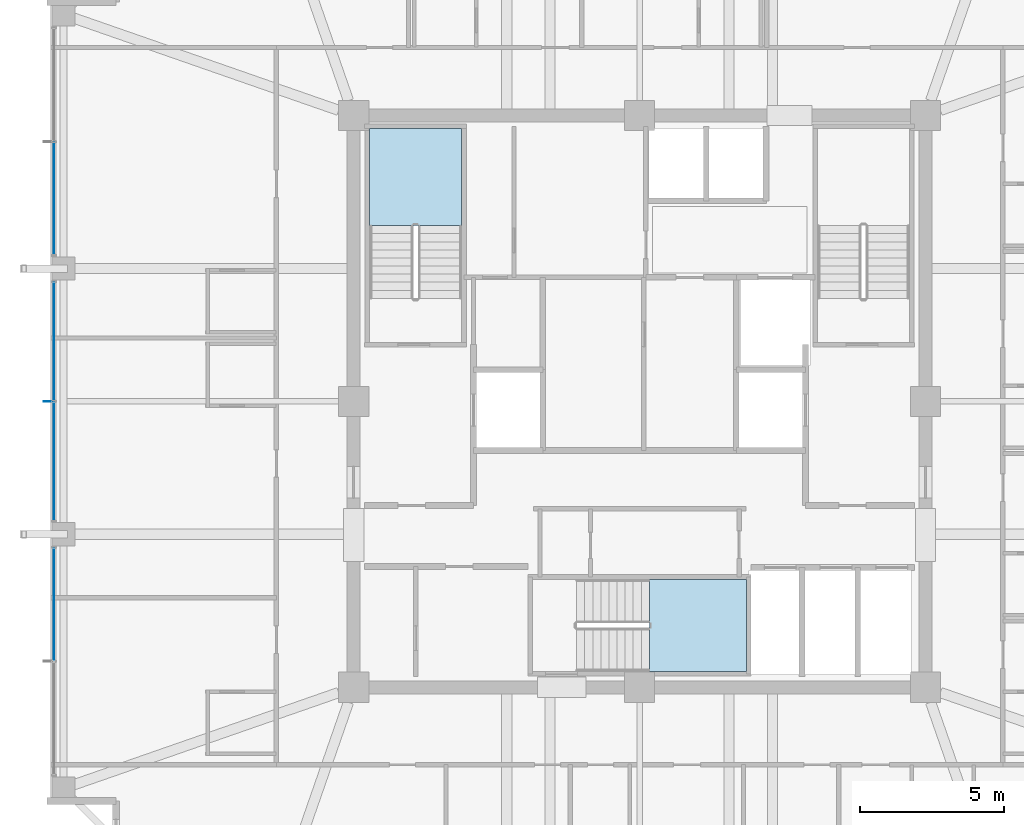
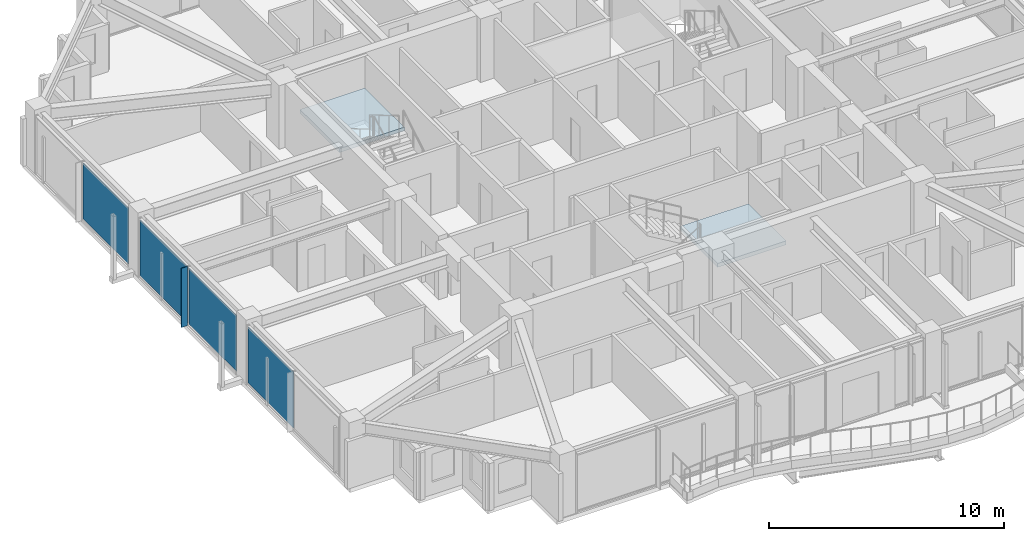
# One storey, part 26 of 38: 5 plates, 2 slabs, 5 elements without a shape of their own.
"""IFC4 building model written with IfcOpenShell, lengths in metres."""

from ifc_helpers import new_model, si_unit, direction, frame, origin, origin_2d, place, context, subcontext, project, spatial, polyline, rectangle, outline, extrude, material, layer, layer_set, type_object, element, aggregate, save


model = new_model("IFC4")

# Units and contexts
model_context = context("Model", 3, precision=1e-05, world=origin(), true_north=direction((0.0, 1.0)))
body_context = subcontext(model_context, "Body", "Model", "MODEL_VIEW")
ifc_project = project(units=[si_unit("LENGTHUNIT", "METRE"), si_unit("AREAUNIT", "SQUARE_METRE"), si_unit("VOLUMEUNIT", "CUBIC_METRE"), si_unit("PLANEANGLEUNIT", "RADIAN"), si_unit("MASSUNIT", "GRAM", prefix="KILO")], contexts=[model_context])

# Site, building, storey
site_placement = place(None, origin())
site = spatial("IfcSite", under=ifc_project, at=site_placement, CompositionType="ELEMENT")
building_placement = place(site_placement, origin())
building = spatial("IfcBuilding", under=site, at=building_placement, Name="Kolvaren Belvedere", CompositionType="ELEMENT")
storey_placement = place(building_placement, frame((0.0, 0.0, 213.0)))
storey = spatial("IfcBuildingStorey", under=building, at=storey_placement, Name="L62", CompositionType="ELEMENT", Elevation=213.0)

# Curtain wall, plate
ifc_material_1 = material(Name="Anodised pale-metal aluminium AA 6063-T6", Category="aluminium")
curtain_wall_type = type_object("IfcCurtainWallType", Name="CW-Z5-HIGH", PredefinedType="NOTDEFINED", material=ifc_material_1)
curtain_wall_1_placement = place(storey_placement, origin())
curtain_wall_1 = element("IfcCurtainWall", 1, at=curtain_wall_1_placement, inside=storey, type_object=curtain_wall_type, Name="L62 Unitised Curtain Wall FCW-L62-W-B1", PredefinedType="NOTDEFINED")
ifc_material_2 = material(Name="Low-iron triple insulated glass", Category="glass")
ifc_layer_1 = layer(ifc_material_2, 0.028076171875)
ifc_layer_set_1 = layer_set([ifc_layer_1], Name="Low-iron triple insulated glass")
plate_type_1 = type_object("IfcPlateType", Name="CW-PNL-VIS28", PredefinedType="CURTAIN_PANEL", material=ifc_layer_set_1)
plate_1_placement = place(storey_placement, frame((-20.280029296875, -7.027587890625, 0.080078125), z_axis=(0.0, 0.0, 1.0), x_axis=(0.0, 1.0, 0.0)))
plate_1 = element("IfcPlate", 2, at=plate_1_placement, type_object=plate_type_1, Name="FCW-L62-W-B1 Vision Glazing Panel 2", PredefinedType="CURTAIN_PANEL", context=body_context, shape_type="SweptSolid", body=[
    extrude(rectangle(XDim=3.864990234375, YDim=0.028076171875, at=origin_2d()), origin(), (0.0, 0.0, 1.0), 2.919921875),
])
aggregate(curtain_wall_1, [plate_1])

# Curtain wall, plates
curtain_wall_2_placement = place(storey_placement, origin())
curtain_wall_2 = element("IfcCurtainWall", 3, at=curtain_wall_2_placement, inside=storey, type_object=curtain_wall_type, Name="L62 Unitised Curtain Wall FCW-L62-W-B2", PredefinedType="NOTDEFINED")
plate_2_placement = place(storey_placement, frame((-20.280029296875, -2.072509765625, 0.080078125), z_axis=(0.0, 0.0, 1.0), x_axis=(0.0, 1.0, 0.0)))
plate_2 = element("IfcPlate", 4, at=plate_2_placement, type_object=plate_type_1, Name="FCW-L62-W-B2 Vision Glazing Panel 1", PredefinedType="CURTAIN_PANEL", context=body_context, shape_type="SweptSolid", body=[
    extrude(rectangle(XDim=4.06494140625, YDim=0.028076171875, at=origin_2d()), origin(), (0.0, 0.0, 1.0), 2.919921875),
])
plate_3_placement = place(storey_placement, frame((-20.280029296875, 2.072509765625, 0.080078125), z_axis=(0.0, 0.0, 1.0), x_axis=(0.0, 1.0, 0.0)))
plate_3 = element("IfcPlate", 5, at=plate_3_placement, type_object=plate_type_1, Name="FCW-L62-W-B2 Vision Glazing Panel 2", PredefinedType="CURTAIN_PANEL", context=body_context, shape_type="SweptSolid", body=[
    extrude(rectangle(XDim=4.06494140625, YDim=0.028076171875, at=origin_2d()), origin(), (0.0, 0.0, 1.0), 2.919921875),
])
aggregate(curtain_wall_2, [plate_2, plate_3])

# Curtain wall, plate
curtain_wall_3_placement = place(storey_placement, origin())
curtain_wall_3 = element("IfcCurtainWall", 6, at=curtain_wall_3_placement, inside=storey, type_object=curtain_wall_type, Name="L62 Unitised Curtain Wall FCW-L62-W-B3", PredefinedType="NOTDEFINED")
plate_4_placement = place(storey_placement, frame((-20.280029296875, 7.027587890625, 0.080078125), z_axis=(0.0, 0.0, 1.0), x_axis=(0.0, 1.0, 0.0)))
plate_4 = element("IfcPlate", 7, at=plate_4_placement, type_object=plate_type_1, Name="FCW-L62-W-B3 Vision Glazing Panel 1", PredefinedType="CURTAIN_PANEL", context=body_context, shape_type="SweptSolid", body=[
    extrude(rectangle(XDim=3.864990234375, YDim=0.028076171875, at=origin_2d()), origin(), (0.0, 0.0, 1.0), 2.919921875),
])
aggregate(curtain_wall_3, [plate_4])

# Plate
ifc_material_3 = material(Name="Anodised pale-metal aluminium AA 6063-T6", Category="aluminium")
ifc_layer_2 = layer(ifc_material_3, 0.030029296875)
ifc_layer_set_2 = layer_set([ifc_layer_2], Name="Anodised pale-metal aluminium AA 6063-T6")
plate_type_2 = type_object("IfcPlateType", Name="FIN-VERT-300", PredefinedType="USERDEFINED", material=ifc_layer_set_2)
plate_5_placement = place(storey_placement, frame((-20.489990234375, 0.0, 0.0), z_axis=(0.0, 0.0, 1.0), x_axis=(1.0, 0.0, 0.0)))
element("IfcPlate", 8, at=plate_5_placement, inside=storey, type_object=plate_type_2, Name="L62 Pale-Metal Vertical Shading Fin FCW-L62-W-B2-1", ObjectType="VERTICAL FIN", PredefinedType="USERDEFINED", context=body_context, shape_type="SweptSolid", body=[
    extrude(rectangle(XDim=0.300048828125, YDim=0.030029296875, at=origin_2d()), origin(), (0.0, 0.0, 1.0), 3.080078125),
])

# Stair, slab
ifc_material_4 = material(Name="Concrete C50/60", Category="concrete")
stair_type = type_object("IfcStairType", Name="ST-CORE-1520", PredefinedType="HALF_TURN_STAIR", material=ifc_material_4)
stair_1_placement = place(storey_placement, origin())
stair_1 = element("IfcStair", 9, at=stair_1_placement, inside=storey, type_object=stair_type, Name="L62 Protected Exit Stair ST-1", PredefinedType="HALF_TURN_STAIR")
ifc_material_5 = material(Name="Concrete C50/60", Category="concrete")
ifc_layer_3 = layer(ifc_material_5, 0.260009765625)
ifc_layer_set_3 = layer_set([ifc_layer_3], Name="Concrete C50/60")
slab_type = type_object("IfcSlabType", Name="SL-LAND-260", PredefinedType="LANDING", material=ifc_layer_set_3)
slab_1_placement = place(storey_placement, frame((0.0, 0.0, 1.449951171875)))
slab_1 = element("IfcSlab", 10, at=slab_1_placement, type_object=slab_type, Name="ST-1 landing 1", PredefinedType="LANDING", context=body_context, shape_type="SweptSolid", body=[
    extrude(outline(polyline([(-6.159912109375, 6.090087890625), (-6.159912109375, 9.449951171875), (-9.35009765625, 9.449951171875), (-9.35009765625, 6.090087890625), (-6.159912109375, 6.090087890625)])), origin(), (0.0, 0.0, 1.0), 0.199951171875),
])
aggregate(stair_1, [slab_1])

stair_2_placement = place(storey_placement, origin())
stair_2 = element("IfcStair", 11, at=stair_2_placement, inside=storey, type_object=stair_type, Name="L62 Protected Exit Stair ST-3", PredefinedType="HALF_TURN_STAIR")
slab_2_placement = place(storey_placement, frame((0.0, 0.0, 1.449951171875)))
slab_2 = element("IfcSlab", 12, at=slab_2_placement, type_object=slab_type, Name="ST-3 landing 1", PredefinedType="LANDING", context=body_context, shape_type="SweptSolid", body=[
    extrude(outline(polyline([(0.340087890625, -9.35009765625), (3.699951171875, -9.35009765625), (3.699951171875, -6.159912109375), (0.340087890625, -6.159912109375), (0.340087890625, -9.35009765625)])), origin(), (0.0, 0.0, 1.0), 0.199951171875),
])
aggregate(stair_2, [slab_2])

save(model, "model.ifc")
